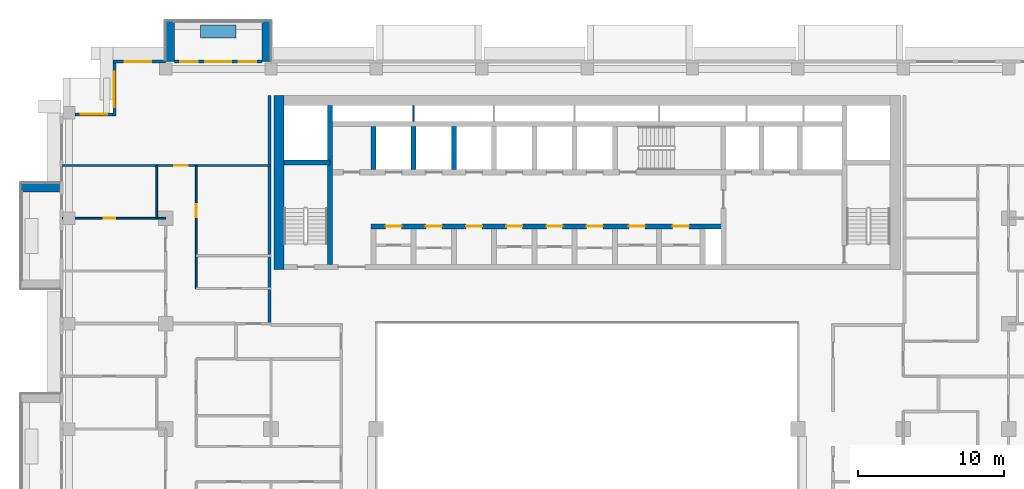
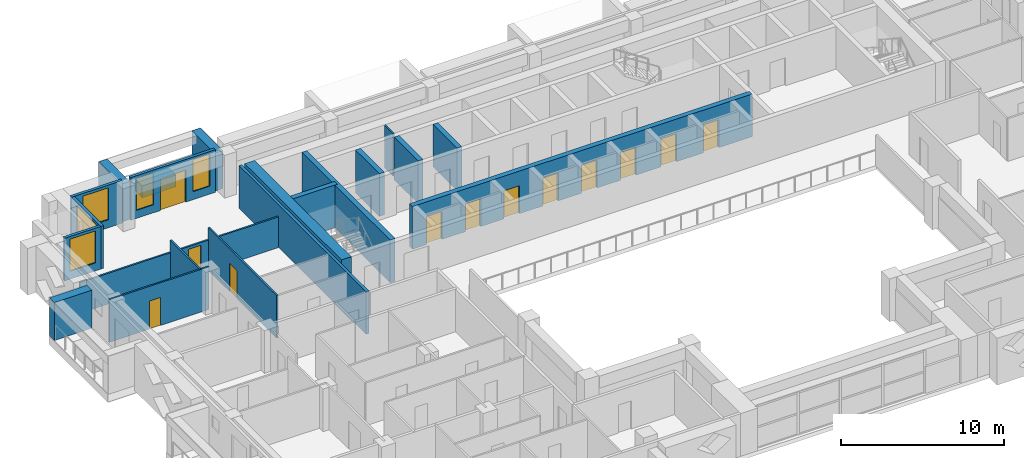
# One storey, part 10 of 20: 21 walls, 12 doors, 5 windows, 17 openings.
"""IFC4 building model written with IfcOpenShell, lengths in metres."""

from ifc_helpers import new_model, si_unit, direction, frame, frame_2d, origin, place, context, subcontext, project, spatial, rectangle, extrude, material, layer, layer_set, type_object, element, fill, save


model = new_model("IFC4")

# Units and contexts
model_context = context("Model", 3, precision=1e-05, world=origin(), true_north=direction((0.0, 1.0)))
body_context = subcontext(model_context, "Body", "Model", "MODEL_VIEW")
ifc_project = project(units=[si_unit("LENGTHUNIT", "METRE"), si_unit("AREAUNIT", "SQUARE_METRE"), si_unit("VOLUMEUNIT", "CUBIC_METRE"), si_unit("PLANEANGLEUNIT", "RADIAN"), si_unit("MASSUNIT", "GRAM", prefix="KILO")], contexts=[model_context])

# Site, building, storey
site_placement = place(None, origin())
site = spatial("IfcSite", under=ifc_project, at=site_placement, CompositionType="ELEMENT")
building_placement = place(site_placement, origin())
building = spatial("IfcBuilding", under=site, at=building_placement, Name="Saffron Iwan Residences", CompositionType="ELEMENT")
storey_placement = place(building_placement, frame((0.0, 0.0, 150.0)))
storey = spatial("IfcBuildingStorey", under=building, at=storey_placement, Name="L39", CompositionType="ELEMENT", Elevation=150.0)

# Walls
ifc_material_1 = material(Name="Concrete C50/60 white painted", Category="concrete")
ifc_layer_1 = layer(ifc_material_1, 0.60009765625)
ifc_layer_set_1 = layer_set([ifc_layer_1], Name="Concrete C50/60 white painted")
wall_type_1 = type_object("IfcWallType", Name="BALCONY FIN 600", PredefinedType="SOLIDWALL", material=ifc_layer_set_1)
for number, where, z_axis, x_axis, name in (
    (1, (28.5, 80.324951171875, 0.0), (0.0, 0.0, 1.0), (0.0, 1.0, 0.0), "Balcony fin L39 F5-3a"),
    (2, (21.89990234375, 80.324951171875, 0.0), (0.0, 0.0, 1.0), (0.0, 1.0, 0.0), "Balcony fin L39 F5-3b"),
):
    element("IfcWall", number, at=place(storey_placement, frame(where, z_axis=z_axis, x_axis=x_axis)), inside=storey, type_object=wall_type_1, Name=name, PredefinedType="SOLIDWALL", context=body_context, shape_type="SweptSolid", body=[
        extrude(rectangle(XDim=2.775146484375, YDim=0.60009765625, at=frame_2d((1.3876953125, 0.0))), origin(), (0.0, 0.0, 1.0), 2.85009765625),
    ])
wall_1_placement = place(storey_placement, frame((14.35009765625, 71.699951171875, 0.0), z_axis=(0.0, 0.0, 1.0), x_axis=(-1.0, 0.0, 0.0)))
element("IfcWall", 3, at=wall_1_placement, inside=storey, type_object=wall_type_1, Name="Balcony fin L39 F8-0a", PredefinedType="SOLIDWALL", context=body_context, shape_type="SweptSolid", body=[
    extrude(rectangle(XDim=2.650146484375, YDim=0.60009765625, at=frame_2d((1.3251953125, 0.0))), origin(), (0.0, 0.0, 1.0), 2.85009765625),
])
ifc_material_2 = material(Name="Concrete C35/45 white painted", Category="concrete")
ifc_layer_2 = layer(ifc_material_2, 0.14990234375)
ifc_layer_set_2 = layer_set([ifc_layer_2], Name="Concrete C35/45 white painted")
wall_type_2 = type_object("IfcWallType", Name="BALCONY PLANTER", PredefinedType="SOLIDWALL", material=ifc_layer_set_2)
wall_2_placement = place(storey_placement, frame((26.39990234375, 82.375, 0.0), z_axis=(0.0, 0.0, 1.0), x_axis=(-1.0, 0.0, 0.0)))
element("IfcWall", 4, at=wall_2_placement, inside=storey, type_object=wall_type_2, Name="PLANTER L39 F5-3", PredefinedType="SOLIDWALL", context=body_context, shape_type="SweptSolid", body=[
    extrude(rectangle(XDim=2.39990234375, YDim=0.89990234375, at=frame_2d((1.199951171875, 0.0))), origin(), (0.0, 0.0, 1.0), 0.89990234375),
])

# Wall, openings, door, windows
ifc_material_3 = material(Name="Concrete C40/50", Category="concrete")
ifc_layer_3 = layer(ifc_material_3, 0.199951171875)
ifc_layer_set_3 = layer_set([ifc_layer_3], Name="Concrete C40/50")
wall_type_3 = type_object("IfcWallType", Name="EXTERNAL WALL 200", PredefinedType="SOLIDWALL", material=ifc_layer_set_3)
wall_3_placement = place(storey_placement, frame((28.199951171875, 80.300048828125, 0.0), z_axis=(0.0, 0.0, 1.0), x_axis=(-1.0, 0.0, 0.0)))
wall_3 = element("IfcWall", 5, at=wall_3_placement, inside=storey, type_object=wall_type_3, Name="External wall L39 F5.1", PredefinedType="SOLIDWALL", context=body_context, shape_type="SweptSolid", body=[
    extrude(rectangle(XDim=6.0, YDim=0.199951171875, at=frame_2d((3.0, 0.0))), origin(), (0.0, 0.0, 1.0), 3.199951171875),
])
opening_1_placement = place(wall_3_placement, frame((2.10009765625, 0.0, 0.0)))
opening_1 = element("IfcOpeningElement", 6, at=opening_1_placement, cuts=wall_3, Name="Opening BD1", PredefinedType="OPENING", context=body_context, shape_type="SweptSolid", body=[
    extrude(rectangle(XDim=1.800048828125, YDim=2.39990234375, at=frame_2d((0.89990234375, 1.199951171875))), frame((0.0, 0.10986328125, 0.0), z_axis=(0.0, -1.0, 0.0), x_axis=(1.0, 0.0, 0.0)), (0.0, 0.0, 1.0), 0.219970703125),
])
opening_2_placement = place(wall_3_placement, frame((0.39990234375, 0.0, 0.60009765625)))
opening_2 = element("IfcOpeningElement", 7, at=opening_2_placement, cuts=wall_3, Name="Opening W3", PredefinedType="OPENING", context=body_context, shape_type="SweptSolid", body=[
    extrude(rectangle(XDim=1.199951171875, YDim=2.39990234375, at=frame_2d((0.60009765625, 1.199951171875))), frame((0.0, 0.10986328125, 0.0), z_axis=(0.0, -1.0, 0.0), x_axis=(1.0, 0.0, 0.0)), (0.0, 0.0, 1.0), 0.219970703125),
])
opening_3_placement = place(wall_3_placement, frame((4.39990234375, 0.0, 0.60009765625)))
opening_3 = element("IfcOpeningElement", 8, at=opening_3_placement, cuts=wall_3, Name="Opening W3", PredefinedType="OPENING", context=body_context, shape_type="SweptSolid", body=[
    extrude(rectangle(XDim=1.199951171875, YDim=2.39990234375, at=frame_2d((0.60009765625, 1.199951171875))), frame((0.0, 0.10986328125, 0.0), z_axis=(0.0, -1.0, 0.0), x_axis=(1.0, 0.0, 0.0)), (0.0, 0.0, 1.0), 0.219970703125),
])
ifc_material_4 = material(Name="Clear glass, laminated double glazed", Category="glass")
door_type_1 = type_object("IfcDoorType", Name="BALCONY DOOR 1800 x 2400", OperationType="DOUBLE_DOOR_SLIDING", PredefinedType="DOOR", material=ifc_material_4)
door_1_placement = place(opening_1_placement, origin())
door_1 = element("IfcDoor", 9, at=door_1_placement, inside=storey, type_object=door_type_1, Name="Balcony door L39 F5.0", OperationType="DOUBLE_DOOR_SLIDING", OverallHeight=2.39990234375, OverallWidth=1.800048828125, PredefinedType="DOOR", context=body_context, shape_type="SweptSolid", body=[
    extrude(rectangle(XDim=1.800048828125, YDim=2.39990234375, at=frame_2d((0.89990234375, 1.199951171875))), frame((0.0, 0.02490234375, 0.0), z_axis=(0.0, -1.0, 0.0), x_axis=(1.0, 0.0, 0.0)), (0.0, 0.0, 1.0), 0.050048828125),
])
fill(opening_1, door_1)
window_type_1 = type_object("IfcWindowType", Name="WINDOW 1200 x 2400", PartitioningType="SINGLE_PANEL", PredefinedType="WINDOW", material=ifc_material_4)
window_1_placement = place(opening_2_placement, origin())
window_1 = element("IfcWindow", 10, at=window_1_placement, inside=storey, type_object=window_type_1, Name="Window L39 F5.1", OverallHeight=2.39990234375, OverallWidth=1.199951171875, PartitioningType="SINGLE_PANEL", PredefinedType="WINDOW", context=body_context, shape_type="SweptSolid", body=[
    extrude(rectangle(XDim=1.199951171875, YDim=2.39990234375, at=frame_2d((0.60009765625, 1.199951171875))), frame((0.0, 0.030029296875, 0.0), z_axis=(0.0, -1.0, 0.0), x_axis=(1.0, 0.0, 0.0)), (0.0, 0.0, 1.0), 0.06005859375),
])
fill(opening_2, window_1)
window_2_placement = place(opening_3_placement, origin())
window_2 = element("IfcWindow", 11, at=window_2_placement, inside=storey, type_object=window_type_1, Name="Window L39 F5.2", OverallHeight=2.39990234375, OverallWidth=1.199951171875, PartitioningType="SINGLE_PANEL", PredefinedType="WINDOW", context=body_context, shape_type="SweptSolid", body=[
    extrude(rectangle(XDim=1.199951171875, YDim=2.39990234375, at=frame_2d((0.60009765625, 1.199951171875))), frame((0.0, 0.030029296875, 0.0), z_axis=(0.0, -1.0, 0.0), x_axis=(1.0, 0.0, 0.0)), (0.0, 0.0, 1.0), 0.06005859375),
])
fill(opening_3, window_2)

# Wall, opening, window
wall_4_placement = place(storey_placement, frame((21.60009765625, 80.300048828125, 0.0), z_axis=(0.0, 0.0, 1.0), x_axis=(-1.0, 0.0, 0.0)))
wall_4 = element("IfcWall", 12, at=wall_4_placement, inside=storey, type_object=wall_type_3, Name="External wall L39 F5.2", PredefinedType="SOLIDWALL", context=body_context, shape_type="SweptSolid", body=[
    extrude(rectangle(XDim=3.60009765625, YDim=0.199951171875, at=frame_2d((1.800048828125, 0.0))), origin(), (0.0, 0.0, 1.0), 3.199951171875),
])
opening_4_placement = place(wall_4_placement, frame((0.987548828125, 0.0, 0.60009765625)))
opening_4 = element("IfcOpeningElement", 13, at=opening_4_placement, cuts=wall_4, Name="Opening W8", PredefinedType="OPENING", context=body_context, shape_type="SweptSolid", body=[
    extrude(rectangle(XDim=1.800048828125, YDim=2.39990234375, at=frame_2d((0.89990234375, 1.199951171875))), frame((0.0, 0.10986328125, 0.0), z_axis=(0.0, -1.0, 0.0), x_axis=(1.0, 0.0, 0.0)), (0.0, 0.0, 1.0), 0.219970703125),
])
window_type_2 = type_object("IfcWindowType", Name="WINDOW 1800 x 2400", PartitioningType="DOUBLE_PANEL_VERTICAL", PredefinedType="WINDOW", material=ifc_material_4)
window_3_placement = place(opening_4_placement, origin())
window_3 = element("IfcWindow", 14, at=window_3_placement, inside=storey, type_object=window_type_2, Name="Window L39 F5.0", OverallHeight=2.39990234375, OverallWidth=1.800048828125, PartitioningType="DOUBLE_PANEL_VERTICAL", PredefinedType="WINDOW", context=body_context, shape_type="SweptSolid", body=[
    extrude(rectangle(XDim=1.800048828125, YDim=2.39990234375, at=frame_2d((0.89990234375, 1.199951171875))), frame((0.0, 0.030029296875, 0.0), z_axis=(0.0, -1.0, 0.0), x_axis=(1.0, 0.0, 0.0)), (0.0, 0.0, 1.0), 0.06005859375),
])
fill(opening_4, window_3)

wall_5_placement = place(storey_placement, frame((18.10009765625, 80.199951171875, 0.0), z_axis=(0.0, 0.0, 1.0), x_axis=(0.0, -1.0, 0.0)))
wall_5 = element("IfcWall", 15, at=wall_5_placement, inside=storey, type_object=wall_type_3, Name="External wall L39 F6.0", PredefinedType="SOLIDWALL", context=body_context, shape_type="SweptSolid", body=[
    extrude(rectangle(XDim=3.599853515625, YDim=0.199951171875, at=frame_2d((1.7998046875, 0.0))), origin(), (0.0, 0.0, 1.0), 3.199951171875),
])
opening_5_placement = place(wall_5_placement, frame((0.60009765625, 0.0, 0.60009765625)))
opening_5 = element("IfcOpeningElement", 16, at=opening_5_placement, cuts=wall_5, Name="Opening W1", PredefinedType="OPENING", context=body_context, shape_type="SweptSolid", body=[
    extrude(rectangle(XDim=2.39990234375, YDim=2.39990234375, at=frame_2d((1.199951171875, 1.199951171875))), frame((0.0, 0.10986328125, 0.0), z_axis=(0.0, -1.0, 0.0), x_axis=(1.0, 0.0, 0.0)), (0.0, 0.0, 1.0), 0.219970703125),
])
window_type_3 = type_object("IfcWindowType", Name="WINDOW 2400 x 2400", PartitioningType="DOUBLE_PANEL_VERTICAL", PredefinedType="WINDOW", material=ifc_material_4)
window_4_placement = place(opening_5_placement, origin())
window_4 = element("IfcWindow", 17, at=window_4_placement, inside=storey, type_object=window_type_3, Name="Window L39 F6.0", OverallHeight=2.39990234375, OverallWidth=2.39990234375, PartitioningType="DOUBLE_PANEL_VERTICAL", PredefinedType="WINDOW", context=body_context, shape_type="SweptSolid", body=[
    extrude(rectangle(XDim=2.39990234375, YDim=2.39990234375, at=frame_2d((1.199951171875, 1.199951171875))), frame((0.0, 0.030029296875, 0.0), z_axis=(0.0, -1.0, 0.0), x_axis=(1.0, 0.0, 0.0)), (0.0, 0.0, 1.0), 0.06005859375),
])
fill(opening_5, window_4)

wall_6_placement = place(storey_placement, frame((18.0, 76.699951171875, 0.0), z_axis=(0.0, 0.0, 1.0), x_axis=(-1.0, 0.0, 0.0)))
wall_6 = element("IfcWall", 18, at=wall_6_placement, inside=storey, type_object=wall_type_3, Name="External wall L39 F7.0", PredefinedType="SOLIDWALL", context=body_context, shape_type="SweptSolid", body=[
    extrude(rectangle(XDim=2.574951171875, YDim=0.199951171875, at=frame_2d((1.28759765625, 0.0))), origin(), (0.0, 0.0, 1.0), 3.199951171875),
])
opening_6_placement = place(wall_6_placement, frame((0.387451171875, 0.0, 0.60009765625)))
opening_6 = element("IfcOpeningElement", 19, at=opening_6_placement, cuts=wall_6, Name="Opening W8", PredefinedType="OPENING", context=body_context, shape_type="SweptSolid", body=[
    extrude(rectangle(XDim=1.800048828125, YDim=2.39990234375, at=frame_2d((0.89990234375, 1.199951171875))), frame((0.0, 0.10986328125, 0.0), z_axis=(0.0, -1.0, 0.0), x_axis=(1.0, 0.0, 0.0)), (0.0, 0.0, 1.0), 0.219970703125),
])
window_5_placement = place(opening_6_placement, origin())
window_5 = element("IfcWindow", 20, at=window_5_placement, inside=storey, type_object=window_type_2, Name="Window L39 F7.0", OverallHeight=2.39990234375, OverallWidth=1.800048828125, PartitioningType="DOUBLE_PANEL_VERTICAL", PredefinedType="WINDOW", context=body_context, shape_type="SweptSolid", body=[
    extrude(rectangle(XDim=1.800048828125, YDim=2.39990234375, at=frame_2d((0.89990234375, 1.199951171875))), frame((0.0, 0.030029296875, 0.0), z_axis=(0.0, -1.0, 0.0), x_axis=(1.0, 0.0, 0.0)), (0.0, 0.0, 1.0), 0.06005859375),
])
fill(opening_6, window_5)

# Wall, opening, door
ifc_material_5 = material(Name="Gypsum board partition")
ifc_layer_4 = layer(ifc_material_5, 0.1201171875)
ifc_layer_set_4 = layer_set([ifc_layer_4], Name="Gypsum board partition")
wall_type_4 = type_object("IfcWallType", Name="Flat partition 120", PredefinedType="PARTITIONING", material=ifc_layer_set_4)
wall_7_placement = place(storey_placement, frame((14.52490234375, 69.60009765625, 0.0), z_axis=(0.0, 0.0, 1.0), x_axis=(1.0, 0.0, 0.0)))
wall_7 = element("IfcWall", 21, at=wall_7_placement, inside=storey, type_object=wall_type_4, Name="W-L39-PART-h69.6-14.525", PredefinedType="PARTITIONING", context=body_context, shape_type="SweptSolid", body=[
    extrude(rectangle(XDim=7.0751953125, YDim=0.1201171875, at=frame_2d((3.53759765625, 0.0))), origin(), (0.0, 0.0, 1.0), 3.199951171875),
])
opening_7_placement = place(wall_7_placement, frame((2.83740234375, 0.0, 0.0)))
opening_7 = element("IfcOpeningElement", 22, at=opening_7_placement, cuts=wall_7, Name="Opening FD3", PredefinedType="OPENING", context=body_context, shape_type="SweptSolid", body=[
    extrude(rectangle(XDim=0.800048828125, YDim=2.10009765625, at=frame_2d((0.39990234375, 1.050048828125))), frame((0.0, 0.070068359375, 0.0), z_axis=(0.0, -1.0, 0.0), x_axis=(1.0, 0.0, 0.0)), (0.0, 0.0, 1.0), 0.14013671875),
])
ifc_material_6 = material(Name="Timber door", Category="wood")
door_type_2 = type_object("IfcDoorType", Name="Bathroom door 800", OperationType="NOTDEFINED", PredefinedType="DOOR", material=ifc_material_6)
door_2_placement = place(opening_7_placement, origin())
door_2 = element("IfcDoor", 23, at=door_2_placement, inside=storey, type_object=door_type_2, Name="Door L39-026", OperationType="SINGLE_SWING_LEFT", OverallHeight=2.10009765625, OverallWidth=0.800048828125, PredefinedType="DOOR", context=body_context, shape_type="SweptSolid", body=[
    extrude(rectangle(XDim=0.800048828125, YDim=2.10009765625, at=frame_2d((0.39990234375, 1.050048828125))), frame((0.0, 0.02490234375, 0.0), z_axis=(0.0, -1.0, 0.0), x_axis=(1.0, 0.0, 0.0)), (0.0, 0.0, 1.0), 0.050048828125),
])
fill(opening_7, door_2)

wall_8_placement = place(storey_placement, frame((14.52490234375, 73.199951171875, 0.0), z_axis=(0.0, 0.0, 1.0), x_axis=(1.0, 0.0, 0.0)))
wall_8 = element("IfcWall", 24, at=wall_8_placement, inside=storey, type_object=wall_type_4, Name="W-L39-PART-h73.2-14.525", PredefinedType="PARTITIONING", context=body_context, shape_type="SweptSolid", body=[
    extrude(rectangle(XDim=14.275146484375, YDim=0.1201171875, at=frame_2d((7.1376953125, 0.0))), origin(), (0.0, 0.0, 1.0), 2.300048828125),
])
opening_8_placement = place(wall_8_placement, frame((7.675048828125, 0.0, 0.0)))
opening_8 = element("IfcOpeningElement", 25, at=opening_8_placement, cuts=wall_8, Name="Opening FD2", PredefinedType="OPENING", context=body_context, shape_type="SweptSolid", body=[
    extrude(rectangle(XDim=0.89990234375, YDim=2.10009765625, at=frame_2d((0.449951171875, 1.050048828125))), frame((0.0, 0.070068359375, 0.0), z_axis=(0.0, -1.0, 0.0), x_axis=(1.0, 0.0, 0.0)), (0.0, 0.0, 1.0), 0.14013671875),
])
door_type_3 = type_object("IfcDoorType", Name="Flat door 900", OperationType="NOTDEFINED", PredefinedType="DOOR", material=ifc_material_6)
door_3_placement = place(opening_8_placement, origin())
door_3 = element("IfcDoor", 26, at=door_3_placement, inside=storey, type_object=door_type_3, Name="Door L39-027", OperationType="SINGLE_SWING_LEFT", OverallHeight=2.10009765625, OverallWidth=0.89990234375, PredefinedType="DOOR", context=body_context, shape_type="SweptSolid", body=[
    extrude(rectangle(XDim=0.89990234375, YDim=2.10009765625, at=frame_2d((0.449951171875, 1.050048828125))), frame((0.0, 0.02490234375, 0.0), z_axis=(0.0, -1.0, 0.0), x_axis=(1.0, 0.0, 0.0)), (0.0, 0.0, 1.0), 0.050048828125),
])
fill(opening_8, door_3)

# Wall
wall_9_placement = place(storey_placement, frame((21.0, 69.60009765625, 0.0), z_axis=(0.0, 0.0, 1.0), x_axis=(0.0, 1.0, 0.0)))
element("IfcWall", 27, at=wall_9_placement, inside=storey, type_object=wall_type_4, Name="W-L39-PART-v21-69.6", PredefinedType="PARTITIONING", context=body_context, shape_type="SweptSolid", body=[
    extrude(rectangle(XDim=3.599853515625, YDim=0.1201171875, at=frame_2d((1.7998046875, 0.0))), origin(), (0.0, 0.0, 1.0), 3.199951171875),
])

# Wall, opening, door
wall_10_placement = place(storey_placement, frame((23.699951171875, 64.800048828125, 0.0), z_axis=(0.0, 0.0, 1.0), x_axis=(0.0, 1.0, 0.0)))
wall_10 = element("IfcWall", 28, at=wall_10_placement, inside=storey, type_object=wall_type_4, Name="W-L39-PART-v23.7-64.8", PredefinedType="PARTITIONING", context=body_context, shape_type="SweptSolid", body=[
    extrude(rectangle(XDim=8.39990234375, YDim=0.1201171875, at=frame_2d((4.199951171875, 0.0))), origin(), (0.0, 0.0, 1.0), 3.199951171875),
])
opening_9_placement = place(wall_10_placement, frame((4.875, 0.0, 0.0)))
opening_9 = element("IfcOpeningElement", 29, at=opening_9_placement, cuts=wall_10, Name="Opening FD2", PredefinedType="OPENING", context=body_context, shape_type="SweptSolid", body=[
    extrude(rectangle(XDim=0.89990234375, YDim=2.10009765625, at=frame_2d((0.449951171875, 1.050048828125))), frame((0.0, 0.070068359375, 0.0), z_axis=(0.0, -1.0, 0.0), x_axis=(1.0, 0.0, 0.0)), (0.0, 0.0, 1.0), 0.14013671875),
])
door_4_placement = place(opening_9_placement, origin())
door_4 = element("IfcDoor", 30, at=door_4_placement, inside=storey, type_object=door_type_3, Name="Door L39-029", OperationType="SINGLE_SWING_LEFT", OverallHeight=2.10009765625, OverallWidth=0.89990234375, PredefinedType="DOOR", context=body_context, shape_type="SweptSolid", body=[
    extrude(rectangle(XDim=0.89990234375, YDim=2.10009765625, at=frame_2d((0.449951171875, 1.050048828125))), frame((0.0, 0.02490234375, 0.0), z_axis=(0.0, -1.0, 0.0), x_axis=(1.0, 0.0, 0.0)), (0.0, 0.0, 1.0), 0.050048828125),
])
fill(opening_9, door_4)

# Walls
ifc_material_7 = material(Name="Fire-rated gypsum board wall")
ifc_layer_5 = layer(ifc_material_7, 0.199951171875)
ifc_layer_set_5 = layer_set([ifc_layer_5], Name="Fire-rated gypsum board wall")
wall_type_5 = type_object("IfcWallType", Name="Gallery wall 200", PredefinedType="SOLIDWALL", material=ifc_layer_set_5)
wall_11_placement = place(storey_placement, frame((28.699951171875, 62.39990234375, 0.0), z_axis=(0.0, 0.0, 1.0), x_axis=(0.0, 1.0, 0.0)))
element("IfcWall", 31, at=wall_11_placement, inside=storey, type_object=wall_type_5, Name="W-L39-CORR-v28.8-62.4", PredefinedType="SOLIDWALL", context=body_context, shape_type="SweptSolid", body=[
    extrude(rectangle(XDim=15.60009765625, YDim=0.199951171875, at=frame_2d((7.800048828125, 0.0))), origin(), (0.0, 0.0, 1.0), 3.199951171875),
])
ifc_material_8 = material(Name="Fire-rated plasterboard partition")
ifc_layer_6 = layer(ifc_material_8, 0.10009765625)
ifc_layer_set_6 = layer_set([ifc_layer_6], Name="Fire-rated plasterboard partition")
wall_type_6 = type_object("IfcWallType", Name="Riser partition 100", PredefinedType="PARTITIONING", material=ifc_layer_set_6)
wall_12_placement = place(storey_placement, frame((38.550048828125, 76.22509765625, 0.0), z_axis=(0.0, 0.0, 1.0), x_axis=(0.0, 1.0, 0.0)))
element("IfcWall", 32, at=wall_12_placement, inside=storey, type_object=wall_type_6, Name="Core partition P08", PredefinedType="PARTITIONING", context=body_context, shape_type="SweptSolid", body=[
    extrude(rectangle(XDim=1.074951171875, YDim=0.10009765625, at=frame_2d((0.53759765625, 0.0))), origin(), (0.0, 0.0, 1.0), 3.199951171875),
])

# Wall, openings, doors
ifc_material_9 = material(Name="Concrete C50/60", Category="concrete")
ifc_layer_7 = layer(ifc_material_9, 0.35009765625)
ifc_layer_set_7 = layer_set([ifc_layer_7], Name="Concrete C50/60")
wall_type_7 = type_object("IfcWallType", Name="WALL CORE 350 C50/60 3200 HIGH", PredefinedType="SHEAR", material=ifc_layer_set_7)
wall_13_placement = place(storey_placement, frame((35.625, 69.050048828125, 0.0), z_axis=(0.0, 0.0, 1.0), x_axis=(1.0, 0.0, 0.0)))
wall_13 = element("IfcWall", 33, at=wall_13_placement, inside=storey, type_object=wall_type_7, Name="Core wall", PredefinedType="SHEAR", context=body_context, shape_type="SweptSolid", body=[
    extrude(rectangle(XDim=24.10009765625, YDim=0.35009765625, at=frame_2d((12.050048828125, 0.0))), origin(), (0.0, 0.0, 1.0), 3.199951171875),
])
opening_10_placement = place(wall_13_placement, frame((1.0, 0.0, 0.0)))
opening_10 = element("IfcOpeningElement", 34, at=opening_10_placement, cuts=wall_13, Name="Opening SR", PredefinedType="OPENING", context=body_context, shape_type="SweptSolid", body=[
    extrude(rectangle(XDim=1.10009765625, YDim=2.10009765625, at=frame_2d((0.550048828125, 1.050048828125))), frame((0.0, 0.18505859375, 0.0), z_axis=(0.0, -1.0, 0.0), x_axis=(1.0, 0.0, 0.0)), (0.0, 0.0, 1.0), 0.3701171875),
])
opening_11_placement = place(wall_13_placement, frame((3.75, 0.0, 0.0)))
opening_11 = element("IfcOpeningElement", 35, at=opening_11_placement, cuts=wall_13, Name="Opening SR", PredefinedType="OPENING", context=body_context, shape_type="SweptSolid", body=[
    extrude(rectangle(XDim=1.10009765625, YDim=2.10009765625, at=frame_2d((0.550048828125, 1.050048828125))), frame((0.0, 0.18505859375, 0.0), z_axis=(0.0, -1.0, 0.0), x_axis=(1.0, 0.0, 0.0)), (0.0, 0.0, 1.0), 0.3701171875),
])
opening_12_placement = place(wall_13_placement, frame((6.5, 0.0, 0.0)))
opening_12 = element("IfcOpeningElement", 36, at=opening_12_placement, cuts=wall_13, Name="Opening SR", PredefinedType="OPENING", context=body_context, shape_type="SweptSolid", body=[
    extrude(rectangle(XDim=1.10009765625, YDim=2.10009765625, at=frame_2d((0.550048828125, 1.050048828125))), frame((0.0, 0.18505859375, 0.0), z_axis=(0.0, -1.0, 0.0), x_axis=(1.0, 0.0, 0.0)), (0.0, 0.0, 1.0), 0.3701171875),
])
opening_13_placement = place(wall_13_placement, frame((9.25, 0.0, 0.0)))
opening_13 = element("IfcOpeningElement", 37, at=opening_13_placement, cuts=wall_13, Name="Opening SR", PredefinedType="OPENING", context=body_context, shape_type="SweptSolid", body=[
    extrude(rectangle(XDim=1.10009765625, YDim=2.10009765625, at=frame_2d((0.550048828125, 1.050048828125))), frame((0.0, 0.18505859375, 0.0), z_axis=(0.0, -1.0, 0.0), x_axis=(1.0, 0.0, 0.0)), (0.0, 0.0, 1.0), 0.3701171875),
])
opening_14_placement = place(wall_13_placement, frame((12.0, 0.0, 0.0)))
opening_14 = element("IfcOpeningElement", 38, at=opening_14_placement, cuts=wall_13, Name="Opening SR", PredefinedType="OPENING", context=body_context, shape_type="SweptSolid", body=[
    extrude(rectangle(XDim=1.10009765625, YDim=2.10009765625, at=frame_2d((0.550048828125, 1.050048828125))), frame((0.0, 0.18505859375, 0.0), z_axis=(0.0, -1.0, 0.0), x_axis=(1.0, 0.0, 0.0)), (0.0, 0.0, 1.0), 0.3701171875),
])
opening_15_placement = place(wall_13_placement, frame((14.75, 0.0, 0.0)))
opening_15 = element("IfcOpeningElement", 39, at=opening_15_placement, cuts=wall_13, Name="Opening SR", PredefinedType="OPENING", context=body_context, shape_type="SweptSolid", body=[
    extrude(rectangle(XDim=1.10009765625, YDim=2.10009765625, at=frame_2d((0.550048828125, 1.050048828125))), frame((0.0, 0.18505859375, 0.0), z_axis=(0.0, -1.0, 0.0), x_axis=(1.0, 0.0, 0.0)), (0.0, 0.0, 1.0), 0.3701171875),
])
opening_16_placement = place(wall_13_placement, frame((17.625, 0.0, 0.0)))
opening_16 = element("IfcOpeningElement", 40, at=opening_16_placement, cuts=wall_13, Name="Opening SR", PredefinedType="OPENING", context=body_context, shape_type="SweptSolid", body=[
    extrude(rectangle(XDim=1.10009765625, YDim=2.10009765625, at=frame_2d((0.550048828125, 1.050048828125))), frame((0.0, 0.18505859375, 0.0), z_axis=(0.0, -1.0, 0.0), x_axis=(1.0, 0.0, 0.0)), (0.0, 0.0, 1.0), 0.3701171875),
])
opening_17_placement = place(wall_13_placement, frame((20.625, 0.0, 0.0)))
opening_17 = element("IfcOpeningElement", 41, at=opening_17_placement, cuts=wall_13, Name="Opening SR", PredefinedType="OPENING", context=body_context, shape_type="SweptSolid", body=[
    extrude(rectangle(XDim=1.10009765625, YDim=2.10009765625, at=frame_2d((0.550048828125, 1.050048828125))), frame((0.0, 0.18505859375, 0.0), z_axis=(0.0, -1.0, 0.0), x_axis=(1.0, 0.0, 0.0)), (0.0, 0.0, 1.0), 0.3701171875),
])
ifc_material_10 = material(Name="Steel fire door", Category="steel")
door_type_4 = type_object("IfcDoorType", Name="Service door 1100", OperationType="NOTDEFINED", PredefinedType="DOOR", material=ifc_material_10)
door_5_placement = place(opening_10_placement, origin())
door_5 = element("IfcDoor", 42, at=door_5_placement, inside=storey, type_object=door_type_4, Name="Door Switch room", OperationType="SINGLE_SWING_RIGHT", OverallHeight=2.10009765625, OverallWidth=1.10009765625, PredefinedType="DOOR", context=body_context, shape_type="SweptSolid", body=[
    extrude(rectangle(XDim=1.10009765625, YDim=2.10009765625, at=frame_2d((0.550048828125, 1.050048828125))), frame((0.0, 0.02490234375, 0.0), z_axis=(0.0, -1.0, 0.0), x_axis=(1.0, 0.0, 0.0)), (0.0, 0.0, 1.0), 0.050048828125),
])
fill(opening_10, door_5)
door_6_placement = place(opening_11_placement, origin())
door_6 = element("IfcDoor", 43, at=door_6_placement, inside=storey, type_object=door_type_4, Name="Door Furniture store", OperationType="SINGLE_SWING_LEFT", OverallHeight=2.10009765625, OverallWidth=1.10009765625, PredefinedType="DOOR", context=body_context, shape_type="SweptSolid", body=[
    extrude(rectangle(XDim=1.10009765625, YDim=2.10009765625, at=frame_2d((0.550048828125, 1.050048828125))), frame((0.0, 0.02490234375, 0.0), z_axis=(0.0, -1.0, 0.0), x_axis=(1.0, 0.0, 0.0)), (0.0, 0.0, 1.0), 0.050048828125),
])
fill(opening_11, door_6)
door_7_placement = place(opening_12_placement, origin())
door_7 = element("IfcDoor", 44, at=door_7_placement, inside=storey, type_object=door_type_4, Name="Door Housekeeping store", OperationType="SINGLE_SWING_RIGHT", OverallHeight=2.10009765625, OverallWidth=1.10009765625, PredefinedType="DOOR", context=body_context, shape_type="SweptSolid", body=[
    extrude(rectangle(XDim=1.10009765625, YDim=2.10009765625, at=frame_2d((0.550048828125, 1.050048828125))), frame((0.0, 0.02490234375, 0.0), z_axis=(0.0, -1.0, 0.0), x_axis=(1.0, 0.0, 0.0)), (0.0, 0.0, 1.0), 0.050048828125),
])
fill(opening_12, door_7)
door_8_placement = place(opening_13_placement, origin())
door_8 = element("IfcDoor", 45, at=door_8_placement, inside=storey, type_object=door_type_4, Name="Door Cleaner's store", OperationType="SINGLE_SWING_LEFT", OverallHeight=2.10009765625, OverallWidth=1.10009765625, PredefinedType="DOOR", context=body_context, shape_type="SweptSolid", body=[
    extrude(rectangle(XDim=1.10009765625, YDim=2.10009765625, at=frame_2d((0.550048828125, 1.050048828125))), frame((0.0, 0.02490234375, 0.0), z_axis=(0.0, -1.0, 0.0), x_axis=(1.0, 0.0, 0.0)), (0.0, 0.0, 1.0), 0.050048828125),
])
fill(opening_13, door_8)
door_9_placement = place(opening_14_placement, origin())
door_9 = element("IfcDoor", 46, at=door_9_placement, inside=storey, type_object=door_type_4, Name="Door Trolley store", OperationType="SINGLE_SWING_RIGHT", OverallHeight=2.10009765625, OverallWidth=1.10009765625, PredefinedType="DOOR", context=body_context, shape_type="SweptSolid", body=[
    extrude(rectangle(XDim=1.10009765625, YDim=2.10009765625, at=frame_2d((0.550048828125, 1.050048828125))), frame((0.0, 0.02490234375, 0.0), z_axis=(0.0, -1.0, 0.0), x_axis=(1.0, 0.0, 0.0)), (0.0, 0.0, 1.0), 0.050048828125),
])
fill(opening_14, door_9)
door_10_placement = place(opening_15_placement, origin())
door_10 = element("IfcDoor", 47, at=door_10_placement, inside=storey, type_object=door_type_4, Name="Door Communications room", OperationType="SINGLE_SWING_LEFT", OverallHeight=2.10009765625, OverallWidth=1.10009765625, PredefinedType="DOOR", context=body_context, shape_type="SweptSolid", body=[
    extrude(rectangle(XDim=1.10009765625, YDim=2.10009765625, at=frame_2d((0.550048828125, 1.050048828125))), frame((0.0, 0.02490234375, 0.0), z_axis=(0.0, -1.0, 0.0), x_axis=(1.0, 0.0, 0.0)), (0.0, 0.0, 1.0), 0.050048828125),
])
fill(opening_15, door_10)
door_11_placement = place(opening_16_placement, origin())
door_11 = element("IfcDoor", 48, at=door_11_placement, inside=storey, type_object=door_type_4, Name="Door Refuse store", OperationType="SINGLE_SWING_RIGHT", OverallHeight=2.10009765625, OverallWidth=1.10009765625, PredefinedType="DOOR", context=body_context, shape_type="SweptSolid", body=[
    extrude(rectangle(XDim=1.10009765625, YDim=2.10009765625, at=frame_2d((0.550048828125, 1.050048828125))), frame((0.0, 0.02490234375, 0.0), z_axis=(0.0, -1.0, 0.0), x_axis=(1.0, 0.0, 0.0)), (0.0, 0.0, 1.0), 0.050048828125),
])
fill(opening_16, door_11)
door_12_placement = place(opening_17_placement, origin())
door_12 = element("IfcDoor", 49, at=door_12_placement, inside=storey, type_object=door_type_4, Name="Door Maintenance store", OperationType="SINGLE_SWING_RIGHT", OverallHeight=2.10009765625, OverallWidth=1.10009765625, PredefinedType="DOOR", context=body_context, shape_type="SweptSolid", body=[
    extrude(rectangle(XDim=1.10009765625, YDim=2.10009765625, at=frame_2d((0.550048828125, 1.050048828125))), frame((0.0, 0.02490234375, 0.0), z_axis=(0.0, -1.0, 0.0), x_axis=(1.0, 0.0, 0.0)), (0.0, 0.0, 1.0), 0.050048828125),
])
fill(opening_17, door_12)

# Walls
wall_14_placement = place(storey_placement, frame((29.699951171875, 73.425048828125, 0.0), z_axis=(0.0, 0.0, 1.0), x_axis=(1.0, 0.0, 0.0)))
element("IfcWall", 50, at=wall_14_placement, inside=storey, type_object=wall_type_7, Name="Core wall", PredefinedType="SHEAR", context=body_context, shape_type="SweptSolid", body=[
    extrude(rectangle(XDim=3.125, YDim=0.35009765625, at=frame_2d((1.5625, 0.0))), origin(), (0.0, 0.0, 1.0), 3.199951171875),
])
wall_15_placement = place(storey_placement, frame((32.824951171875, 66.449951171875, 0.0), z_axis=(0.0, 0.0, 1.0), x_axis=(0.0, 1.0, 0.0)))
element("IfcWall", 51, at=wall_15_placement, inside=storey, type_object=wall_type_7, Name="Core wall", PredefinedType="SHEAR", context=body_context, shape_type="SweptSolid", body=[
    extrude(rectangle(XDim=10.85009765625, YDim=0.35009765625, at=frame_2d((5.425048828125, 0.0))), origin(), (0.0, 0.0, 1.0), 3.199951171875),
])
for number, where, z_axis, x_axis, name in (
    (52, (35.800048828125, 72.925048828125, 0.0), (0.0, 0.0, 1.0), (0.0, 1.0, 0.0), "Core wall"),
    (53, (38.550048828125, 72.925048828125, 0.0), (0.0, 0.0, 1.0), (0.0, 1.0, 0.0), "Core wall"),
    (54, (41.300048828125, 72.925048828125, 0.0), (0.0, 0.0, 1.0), (0.0, 1.0, 0.0), "Core wall"),
):
    element("IfcWall", number, at=place(storey_placement, frame(where, z_axis=z_axis, x_axis=x_axis)), inside=storey, type_object=wall_type_7, Name=name, PredefinedType="SHEAR", context=body_context, shape_type="SweptSolid", body=[
        extrude(rectangle(XDim=2.949951171875, YDim=0.35009765625, at=frame_2d((1.47509765625, 0.0))), origin(), (0.0, 0.0, 1.0), 3.199951171875),
    ])
ifc_layer_8 = layer(ifc_material_9, 0.699951171875)
ifc_layer_set_8 = layer_set([ifc_layer_8], Name="Concrete C50/60")
wall_type_8 = type_object("IfcWallType", Name="WALL CORE 700 C50/60 3200 HIGH", PredefinedType="SHEAR", material=ifc_layer_set_8)
wall_16_placement = place(storey_placement, frame((29.35009765625, 66.10009765625, 0.0), z_axis=(0.0, 0.0, 1.0), x_axis=(0.0, 1.0, 0.0)))
element("IfcWall", 55, at=wall_16_placement, inside=storey, type_object=wall_type_8, Name="Core wall", PredefinedType="SHEAR", context=body_context, shape_type="SweptSolid", body=[
    extrude(rectangle(XDim=11.89990234375, YDim=0.699951171875, at=frame_2d((5.949951171875, 0.0))), origin(), (0.0, 0.0, 1.0), 3.199951171875),
])

save(model, "model.ifc")
